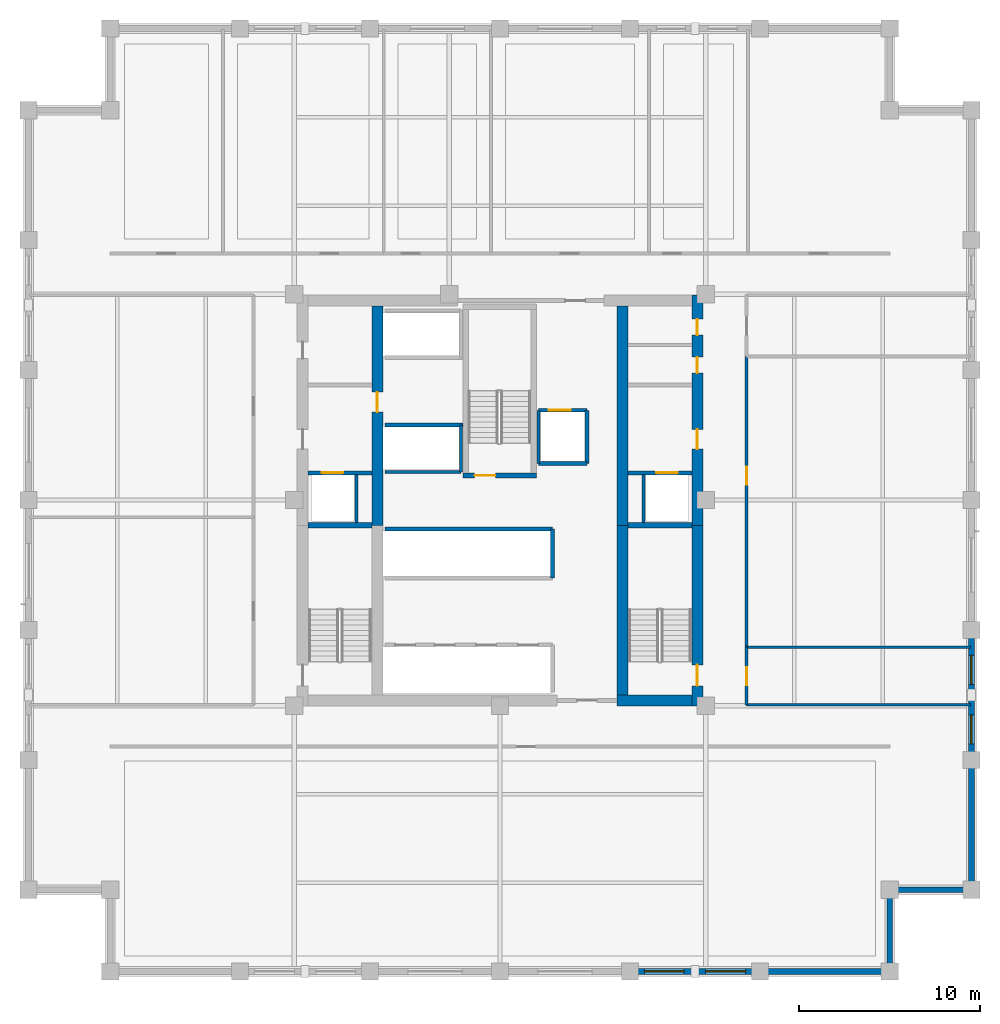
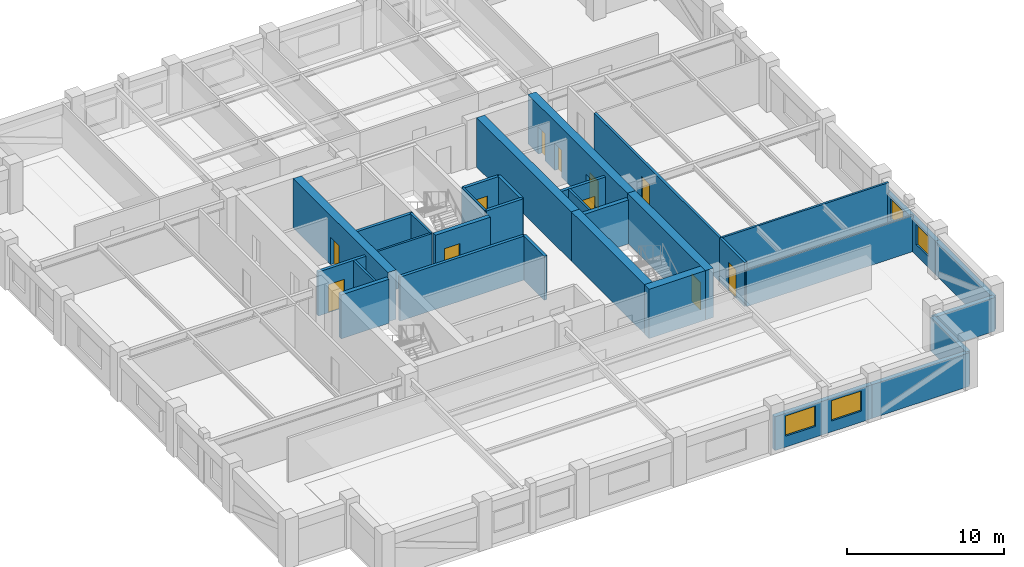
# One storey, part 6 of 12: 32 walls, 11 doors, 4 windows, 15 openings.
"""IFC4 building model written with IfcOpenShell, lengths in metres."""

from ifc_helpers import new_model, si_unit, direction, frame, frame_2d, origin, place, context, subcontext, project, spatial, rectangle, extrude, material, layer, layer_set, type_object, element, fill, save


model = new_model("IFC4")

# Units and contexts
model_context = context("Model", 3, precision=1e-05, world=origin(), true_north=direction((0.0, 1.0)))
body_context = subcontext(model_context, "Body", "Model", "MODEL_VIEW")
ifc_project = project(units=[si_unit("LENGTHUNIT", "METRE"), si_unit("AREAUNIT", "SQUARE_METRE"), si_unit("VOLUMEUNIT", "CUBIC_METRE"), si_unit("PLANEANGLEUNIT", "RADIAN"), si_unit("MASSUNIT", "GRAM", prefix="KILO")], contexts=[model_context])

# Site, building, storey
site_placement = place(None, origin())
site = spatial("IfcSite", under=ifc_project, at=site_placement, CompositionType="ELEMENT")
building_placement = place(site_placement, origin())
building = spatial("IfcBuilding", under=site, at=building_placement, Name="Nhamokura Convention Tower", CompositionType="ELEMENT")
storey_placement = place(building_placement, frame((0.0, 0.0, 110.60009765625)))
storey = spatial("IfcBuildingStorey", under=building, at=storey_placement, Name="L26", CompositionType="ELEMENT", Elevation=110.60009765625)

# Wall, openings, windows
ifc_material_1 = material(Name="Bronze-pigmented precast concrete C45/55", Category="concrete")
ifc_layer_1 = layer(ifc_material_1, 0.320068359375)
ifc_layer_set_1 = layer_set([ifc_layer_1], Name="BronzePrecastSpandrel_320")
wall_type_1 = type_object("IfcWallType", Name="BronzePrecastSpandrel_320", PredefinedType="USERDEFINED", material=ifc_layer_set_1)
wall_1_placement = place(storey_placement, frame((46.333251953125, 6.0, 0.0), z_axis=(0.0, 0.0, 1.0), x_axis=(-1.0, 0.0, 0.0)))
wall_1 = element("IfcWall", 1, at=wall_1_placement, inside=storey, type_object=wall_type_1, Name="L26 Masonry-Frame Wall SOUTH 4", ObjectType="SPANDREL_WALL", PredefinedType="USERDEFINED", context=body_context, shape_type="SweptSolid", body=[
    extrude(rectangle(XDim=7.16650390625, YDim=0.320068359375, at=frame_2d((3.583251953125, 0.0))), origin(), (0.0, 0.0, 1.0), 2.6298828125),
])
opening_1_placement = place(wall_1_placement, frame((0.791748046875, 0.0, 0.85009765625)))
opening_1 = element("IfcOpeningElement", 2, at=opening_1_placement, cuts=wall_1, Name="Opening W-06", PredefinedType="OPENING", context=body_context, shape_type="SweptSolid", body=[
    extrude(rectangle(XDim=2.199951171875, YDim=1.580078125, at=frame_2d((1.10009765625, 0.7900390625))), frame((0.0, 0.169921875, 0.0), z_axis=(0.0, -1.0, 0.0), x_axis=(1.0, 0.0, 0.0)), (0.0, 0.0, 1.0), 0.340087890625),
])
opening_2_placement = place(wall_1_placement, frame((4.175048828125, 0.0, 0.85009765625)))
opening_2 = element("IfcOpeningElement", 3, at=opening_2_placement, cuts=wall_1, Name="Opening W-06", PredefinedType="OPENING", context=body_context, shape_type="SweptSolid", body=[
    extrude(rectangle(XDim=2.199951171875, YDim=1.580078125, at=frame_2d((1.10009765625, 0.7900390625))), frame((0.0, 0.169921875, 0.0), z_axis=(0.0, -1.0, 0.0), x_axis=(1.0, 0.0, 0.0)), (0.0, 0.0, 1.0), 0.340087890625),
])
ifc_material_2 = material(Name="Solar-control bronze low-E double glass", Category="glass")
window_type_1 = type_object("IfcWindowType", Name="OfficeModuleWindow_Z2_2200", PartitioningType="SINGLE_PANEL", PredefinedType="WINDOW", material=ifc_material_2)
window_1_placement = place(opening_1_placement, origin())
window_1 = element("IfcWindow", 4, at=window_1_placement, inside=storey, type_object=window_type_1, Name="L26 Facade Window SOUTH 4-1", OverallHeight=1.580078125, OverallWidth=2.199951171875, PartitioningType="SINGLE_PANEL", PredefinedType="WINDOW", context=body_context, shape_type="SweptSolid", body=[
    extrude(rectangle(XDim=2.199951171875, YDim=1.580078125, at=frame_2d((1.10009765625, 0.7900390625))), frame((0.0, 0.030029296875, 0.0), z_axis=(0.0, -1.0, 0.0), x_axis=(1.0, 0.0, 0.0)), (0.0, 0.0, 1.0), 0.06005859375),
])
fill(opening_1, window_1)
window_2_placement = place(opening_2_placement, origin())
window_2 = element("IfcWindow", 5, at=window_2_placement, inside=storey, type_object=window_type_1, Name="L26 Facade Window SOUTH 4-2", OverallHeight=1.580078125, OverallWidth=2.199951171875, PartitioningType="SINGLE_PANEL", PredefinedType="WINDOW", context=body_context, shape_type="SweptSolid", body=[
    extrude(rectangle(XDim=2.199951171875, YDim=1.580078125, at=frame_2d((1.10009765625, 0.7900390625))), frame((0.0, 0.030029296875, 0.0), z_axis=(0.0, -1.0, 0.0), x_axis=(1.0, 0.0, 0.0)), (0.0, 0.0, 1.0), 0.06005859375),
])
fill(opening_2, window_2)

# Walls
for number, where, z_axis, x_axis, name in (
    (6, (53.5, 6.0, 0.0), (0.0, 0.0, 1.0), (-1.0, 0.0, 0.0), "L26 Braced-Bay Precast Wall SOUTH 5"),
    (7, (58.0, 17.666748046875, 0.0), (0.0, 0.0, 1.0), (0.0, -1.0, 0.0), "L26 Braced-Bay Precast Wall EAST 0"),
):
    element("IfcWall", number, at=place(storey_placement, frame(where, z_axis=z_axis, x_axis=x_axis)), inside=storey, type_object=wall_type_1, Name=name, ObjectType="SPANDREL_WALL", PredefinedType="USERDEFINED", context=body_context, shape_type="SweptSolid", body=[
        extrude(rectangle(XDim=7.166748046875, YDim=0.320068359375, at=frame_2d((3.58349609375, 0.0))), origin(), (0.0, 0.0, 1.0), 2.6298828125),
    ])

# Wall, openings, windows
wall_2_placement = place(storey_placement, frame((58.0, 24.833251953125, 0.0), z_axis=(0.0, 0.0, 1.0), x_axis=(0.0, -1.0, 0.0)))
wall_2 = element("IfcWall", 8, at=wall_2_placement, inside=storey, type_object=wall_type_1, Name="L26 Masonry-Frame Wall EAST 1", ObjectType="SPANDREL_WALL", PredefinedType="USERDEFINED", context=body_context, shape_type="SweptSolid", body=[
    extrude(rectangle(XDim=7.16650390625, YDim=0.320068359375, at=frame_2d((3.583251953125, 0.0))), origin(), (0.0, 0.0, 1.0), 2.6298828125),
])
opening_3_placement = place(wall_2_placement, frame((1.404296875, 0.0, 0.85009765625)))
opening_3 = element("IfcOpeningElement", 9, at=opening_3_placement, cuts=wall_2, Name="Opening W-11", PredefinedType="OPENING", context=body_context, shape_type="SweptSolid", body=[
    extrude(rectangle(XDim=1.60009765625, YDim=1.580078125, at=frame_2d((0.800048828125, 0.7900390625))), frame((0.0, 0.169921875, 0.0), z_axis=(0.0, -1.0, 0.0), x_axis=(1.0, 0.0, 0.0)), (0.0, 0.0, 1.0), 0.340087890625),
])
opening_4_placement = place(wall_2_placement, frame((4.6875, 0.0, 0.85009765625)))
opening_4 = element("IfcOpeningElement", 10, at=opening_4_placement, cuts=wall_2, Name="Opening W-11", PredefinedType="OPENING", context=body_context, shape_type="SweptSolid", body=[
    extrude(rectangle(XDim=1.60009765625, YDim=1.580078125, at=frame_2d((0.800048828125, 0.7900390625))), frame((0.0, 0.169921875, 0.0), z_axis=(0.0, -1.0, 0.0), x_axis=(1.0, 0.0, 0.0)), (0.0, 0.0, 1.0), 0.340087890625),
])
ifc_material_3 = material(Name="Solar-control bronze low-E double glass", Category="glass")
window_type_2 = type_object("IfcWindowType", Name="NotchCornerWindow_1600", PartitioningType="SINGLE_PANEL", PredefinedType="WINDOW", material=ifc_material_3)
window_3_placement = place(opening_3_placement, origin())
window_3 = element("IfcWindow", 11, at=window_3_placement, inside=storey, type_object=window_type_2, Name="L26 Facade Window EAST 1-1", OverallHeight=1.580078125, OverallWidth=1.60009765625, PartitioningType="SINGLE_PANEL", PredefinedType="WINDOW", context=body_context, shape_type="SweptSolid", body=[
    extrude(rectangle(XDim=1.60009765625, YDim=1.580078125, at=frame_2d((0.800048828125, 0.7900390625))), frame((0.0, 0.030029296875, 0.0), z_axis=(0.0, -1.0, 0.0), x_axis=(1.0, 0.0, 0.0)), (0.0, 0.0, 1.0), 0.06005859375),
])
fill(opening_3, window_3)
window_4_placement = place(opening_4_placement, origin())
window_4 = element("IfcWindow", 12, at=window_4_placement, inside=storey, type_object=window_type_2, Name="L26 Facade Window EAST 1-2", OverallHeight=1.580078125, OverallWidth=1.60009765625, PartitioningType="SINGLE_PANEL", PredefinedType="WINDOW", context=body_context, shape_type="SweptSolid", body=[
    extrude(rectangle(XDim=1.60009765625, YDim=1.580078125, at=frame_2d((0.800048828125, 0.7900390625))), frame((0.0, 0.030029296875, 0.0), z_axis=(0.0, -1.0, 0.0), x_axis=(1.0, 0.0, 0.0)), (0.0, 0.0, 1.0), 0.06005859375),
])
fill(opening_4, window_4)

# Walls
for number, where, z_axis, x_axis, name in (
    (13, (53.5, 10.5, 0.0), (0.0, 0.0, 1.0), (0.0, -1.0, 0.0), "L26 Notched Corner Wall SE1"),
    (14, (58.0, 10.5, 0.0), (0.0, 0.0, 1.0), (-1.0, 0.0, 0.0), "L26 Notched Corner Wall SE2"),
):
    element("IfcWall", number, at=place(storey_placement, frame(where, z_axis=z_axis, x_axis=x_axis)), inside=storey, type_object=wall_type_1, Name=name, ObjectType="SPANDREL_WALL", PredefinedType="USERDEFINED", context=body_context, shape_type="SweptSolid", body=[
        extrude(rectangle(XDim=4.5, YDim=0.320068359375, at=frame_2d((2.25, 0.0))), origin(), (0.0, 0.0, 1.0), 2.6298828125),
    ])

# Wall, opening, door
ifc_material_4 = material(Name="Concrete C60/75", Category="concrete")
ifc_layer_2 = layer(ifc_material_4, 0.60009765625)
ifc_layer_set_2 = layer_set([ifc_layer_2], Name="CoreShearWall_600")
wall_type_2 = type_object("IfcWallType", Name="CoreShearWall_600", PredefinedType="SHEAR", material=ifc_layer_set_2)
wall_3_placement = place(storey_placement, frame((42.889892578125, 20.64990234375, 0.0), z_axis=(0.0, 0.0, 1.0), x_axis=(0.0, 1.0, 0.0)))
wall_3 = element("IfcWall", 15, at=wall_3_placement, inside=storey, type_object=wall_type_2, Name="L26 Core Shear Wall CW-ES", PredefinedType="SHEAR", context=body_context, shape_type="SweptSolid", body=[
    extrude(rectangle(XDim=9.9501953125, YDim=0.60009765625, at=frame_2d((4.97509765625, 0.0))), origin(), (0.0, 0.0, 1.0), 3.849853515625),
])
opening_5_placement = place(wall_3_placement, frame((1.10009765625, 0.0, 0.0)))
opening_5 = element("IfcOpeningElement", 16, at=opening_5_placement, cuts=wall_3, Name="Opening D-04", PredefinedType="OPENING", context=body_context, shape_type="SweptSolid", body=[
    extrude(rectangle(XDim=1.14990234375, YDim=2.14990234375, at=frame_2d((0.574951171875, 1.074951171875))), frame((0.0, 0.31005859375, 0.0), z_axis=(0.0, -1.0, 0.0), x_axis=(1.0, 0.0, 0.0)), (0.0, 0.0, 1.0), 0.6201171875),
])
ifc_material_5 = material(Name="Fire-rated steel door", Category="steel")
door_type_1 = type_object("IfcDoorType", Name="StairSmokeDoor_1150", OperationType="NOTDEFINED", PredefinedType="DOOR", material=ifc_material_5)
door_1_placement = place(opening_5_placement, origin())
door_1 = element("IfcDoor", 17, at=door_1_placement, inside=storey, type_object=door_type_1, Name="L26 Core Door INT-L26-D-ST02", OperationType="SINGLE_SWING_RIGHT", OverallHeight=2.14990234375, OverallWidth=1.14990234375, PredefinedType="DOOR", context=body_context, shape_type="SweptSolid", body=[
    extrude(rectangle(XDim=1.14990234375, YDim=2.14990234375, at=frame_2d((0.574951171875, 1.074951171875))), frame((0.0, 0.02490234375, 0.0), z_axis=(0.0, -1.0, 0.0), x_axis=(1.0, 0.0, 0.0)), (0.0, 0.0, 1.0), 0.050048828125),
])
fill(opening_5, door_1)

# Wall, openings, doors
wall_4_placement = place(storey_placement, frame((42.889892578125, 30.60009765625, 0.0), z_axis=(0.0, 0.0, 1.0), x_axis=(0.0, 1.0, 0.0)))
wall_4 = element("IfcWall", 18, at=wall_4_placement, inside=storey, type_object=wall_type_2, Name="L26 Core Shear Wall CW-EN", PredefinedType="SHEAR", context=body_context, shape_type="SweptSolid", body=[
    extrude(rectangle(XDim=12.699951171875, YDim=0.60009765625, at=frame_2d((6.35009765625, 0.0))), origin(), (0.0, 0.0, 1.0), 3.849853515625),
])
opening_6_placement = place(wall_4_placement, frame((4.199951171875, 0.0, 0.0)))
opening_6 = element("IfcOpeningElement", 19, at=opening_6_placement, cuts=wall_4, Name="Opening D-05", PredefinedType="OPENING", context=body_context, shape_type="SweptSolid", body=[
    extrude(rectangle(XDim=1.10009765625, YDim=2.14990234375, at=frame_2d((0.550048828125, 1.074951171875))), frame((0.0, 0.31005859375, 0.0), z_axis=(0.0, -1.0, 0.0), x_axis=(1.0, 0.0, 0.0)), (0.0, 0.0, 1.0), 0.6201171875),
])
opening_7_placement = place(wall_4_placement, frame((8.39990234375, 0.0, 0.0)))
opening_7 = element("IfcOpeningElement", 20, at=opening_7_placement, cuts=wall_4, Name="Opening D-11", PredefinedType="OPENING", context=body_context, shape_type="SweptSolid", body=[
    extrude(rectangle(XDim=0.8798828125, YDim=2.10009765625, at=frame_2d((0.43994140625, 1.050048828125))), frame((0.0, 0.31005859375, 0.0), z_axis=(0.0, -1.0, 0.0), x_axis=(1.0, 0.0, 0.0)), (0.0, 0.0, 1.0), 0.6201171875),
])
opening_8_placement = place(wall_4_placement, frame((10.5, 0.0, 0.0)))
opening_8 = element("IfcOpeningElement", 21, at=opening_8_placement, cuts=wall_4, Name="Opening D-11", PredefinedType="OPENING", context=body_context, shape_type="SweptSolid", body=[
    extrude(rectangle(XDim=0.8798828125, YDim=2.10009765625, at=frame_2d((0.43994140625, 1.050048828125))), frame((0.0, 0.31005859375, 0.0), z_axis=(0.0, -1.0, 0.0), x_axis=(1.0, 0.0, 0.0)), (0.0, 0.0, 1.0), 0.6201171875),
])
ifc_material_6 = material(Name="Solid oak hardwood", Category="wood")
door_type_2 = type_object("IfcDoorType", Name="BathroomDoor_880", OperationType="NOTDEFINED", PredefinedType="DOOR", material=ifc_material_6)
door_2_placement = place(opening_7_placement, origin())
door_2 = element("IfcDoor", 22, at=door_2_placement, inside=storey, type_object=door_type_2, Name="L26 Core Door INT-L26-D-MWC", OperationType="SINGLE_SWING_RIGHT", OverallHeight=2.10009765625, OverallWidth=0.8798828125, PredefinedType="DOOR", context=body_context, shape_type="SweptSolid", body=[
    extrude(rectangle(XDim=0.8798828125, YDim=2.10009765625, at=frame_2d((0.43994140625, 1.050048828125))), frame((0.0, 0.02490234375, 0.0), z_axis=(0.0, -1.0, 0.0), x_axis=(1.0, 0.0, 0.0)), (0.0, 0.0, 1.0), 0.050048828125),
])
fill(opening_7, door_2)
door_3_placement = place(opening_8_placement, origin())
door_3 = element("IfcDoor", 23, at=door_3_placement, inside=storey, type_object=door_type_2, Name="L26 Core Door INT-L26-D-FWC", OperationType="SINGLE_SWING_LEFT", OverallHeight=2.10009765625, OverallWidth=0.8798828125, PredefinedType="DOOR", context=body_context, shape_type="SweptSolid", body=[
    extrude(rectangle(XDim=0.8798828125, YDim=2.10009765625, at=frame_2d((0.43994140625, 1.050048828125))), frame((0.0, 0.02490234375, 0.0), z_axis=(0.0, -1.0, 0.0), x_axis=(1.0, 0.0, 0.0)), (0.0, 0.0, 1.0), 0.050048828125),
])
fill(opening_8, door_3)
ifc_material_7 = material(Name="Fire-rated steel door", Category="steel")
door_type_3 = type_object("IfcDoorType", Name="FireLobbyDoor_1100", OperationType="NOTDEFINED", PredefinedType="DOOR", material=ifc_material_7)
door_4_placement = place(opening_6_placement, origin())
door_4 = element("IfcDoor", 24, at=door_4_placement, inside=storey, type_object=door_type_3, Name="L26 Core Door INT-L26-D-FFLE", OperationType="SINGLE_SWING_LEFT", OverallHeight=2.14990234375, OverallWidth=1.10009765625, PredefinedType="DOOR", context=body_context, shape_type="SweptSolid", body=[
    extrude(rectangle(XDim=1.10009765625, YDim=2.14990234375, at=frame_2d((0.550048828125, 1.074951171875))), frame((0.0, 0.02490234375, 0.0), z_axis=(0.0, -1.0, 0.0), x_axis=(1.0, 0.0, 0.0)), (0.0, 0.0, 1.0), 0.050048828125),
])
fill(opening_6, door_4)

# Wall
wall_5_placement = place(storey_placement, frame((38.449951171875, 20.949951171875, 0.0), z_axis=(0.0, 0.0, 1.0), x_axis=(1.0, 0.0, 0.0)))
element("IfcWall", 25, at=wall_5_placement, inside=storey, type_object=wall_type_2, Name="L26 Core Shear Wall CW-S2", PredefinedType="SHEAR", context=body_context, shape_type="SweptSolid", body=[
    extrude(rectangle(XDim=4.14013671875, YDim=0.60009765625, at=frame_2d((2.070068359375, 0.0))), origin(), (0.0, 0.0, 1.0), 3.849853515625),
])

# Wall, opening, door
wall_6_placement = place(storey_placement, frame((25.239990234375, 30.60009765625, 0.0), z_axis=(0.0, 0.0, 1.0), x_axis=(0.0, 1.0, 0.0)))
wall_6 = element("IfcWall", 26, at=wall_6_placement, inside=storey, type_object=wall_type_2, Name="L26 Core Shear Wall CW-IWN", PredefinedType="SHEAR", context=body_context, shape_type="SweptSolid", body=[
    extrude(rectangle(XDim=12.099853515625, YDim=0.60009765625, at=frame_2d((6.0498046875, 0.0))), origin(), (0.0, 0.0, 1.0), 3.849853515625),
])
opening_9_placement = place(wall_6_placement, frame((6.25, 0.0, 0.0)))
opening_9 = element("IfcOpeningElement", 27, at=opening_9_placement, cuts=wall_6, Name="Opening D-05", PredefinedType="OPENING", context=body_context, shape_type="SweptSolid", body=[
    extrude(rectangle(XDim=1.10009765625, YDim=2.14990234375, at=frame_2d((0.550048828125, 1.074951171875))), frame((0.0, 0.31005859375, 0.0), z_axis=(0.0, -1.0, 0.0), x_axis=(1.0, 0.0, 0.0)), (0.0, 0.0, 1.0), 0.6201171875),
])
door_5_placement = place(opening_9_placement, origin())
door_5 = element("IfcDoor", 28, at=door_5_placement, inside=storey, type_object=door_type_3, Name="L26 Core Door INT-L26-D-B3LOB", OperationType="SINGLE_SWING_LEFT", OverallHeight=2.14990234375, OverallWidth=1.10009765625, PredefinedType="DOOR", context=body_context, shape_type="SweptSolid", body=[
    extrude(rectangle(XDim=1.10009765625, YDim=2.14990234375, at=frame_2d((0.550048828125, 1.074951171875))), frame((0.0, 0.02490234375, 0.0), z_axis=(0.0, -1.0, 0.0), x_axis=(1.0, 0.0, 0.0)), (0.0, 0.0, 1.0), 0.050048828125),
])
fill(opening_9, door_5)

# Walls
wall_7_placement = place(storey_placement, frame((38.760009765625, 21.25, 0.0), z_axis=(0.0, 0.0, 1.0), x_axis=(0.0, 1.0, 0.0)))
element("IfcWall", 29, at=wall_7_placement, inside=storey, type_object=wall_type_2, Name="L26 Core Shear Wall CW-IES", PredefinedType="SHEAR", context=body_context, shape_type="SweptSolid", body=[
    extrude(rectangle(XDim=9.35009765625, YDim=0.60009765625, at=frame_2d((4.675048828125, 0.0))), origin(), (0.0, 0.0, 1.0), 3.849853515625),
])
wall_8_placement = place(storey_placement, frame((38.760009765625, 30.60009765625, 0.0), z_axis=(0.0, 0.0, 1.0), x_axis=(0.0, 1.0, 0.0)))
element("IfcWall", 30, at=wall_8_placement, inside=storey, type_object=wall_type_2, Name="L26 Core Shear Wall CW-IEN", PredefinedType="SHEAR", context=body_context, shape_type="SweptSolid", body=[
    extrude(rectangle(XDim=12.099853515625, YDim=0.60009765625, at=frame_2d((6.0498046875, 0.0))), origin(), (0.0, 0.0, 1.0), 3.849853515625),
])

# Wall, opening, door
ifc_material_8 = material(Name="Fire-rated gypsum and masonry partition", Category="masonry")
ifc_layer_3 = layer(ifc_material_8, 0.179931640625)
ifc_layer_set_3 = layer_set([ifc_layer_3], Name="CorridorRatedWall_180")
wall_type_3 = type_object("IfcWallType", Name="CorridorRatedWall_180", PredefinedType="STANDARD", material=ifc_layer_set_3)
wall_9_placement = place(storey_placement, frame((45.60009765625, 20.699951171875, 0.0), z_axis=(0.0, 0.0, 1.0), x_axis=(0.0, 1.0, 0.0)))
wall_9 = element("IfcWall", 31, at=wall_9_placement, inside=storey, type_object=wall_type_3, Name="L26 Wall INT-L26-CW-E00", PredefinedType="STANDARD", context=body_context, shape_type="SweptSolid", body=[
    extrude(rectangle(XDim=3.183349609375, YDim=0.179931640625, at=frame_2d((1.591796875, 0.0))), origin(), (0.0, 0.0, 1.0), 3.429931640625),
])
opening_10_placement = place(wall_9_placement, frame((1.091552734375, 0.0, 0.0)))
opening_10 = element("IfcOpeningElement", 32, at=opening_10_placement, cuts=wall_9, Name="Opening D-08", PredefinedType="OPENING", context=body_context, shape_type="SweptSolid", body=[
    extrude(rectangle(XDim=0.97998046875, YDim=2.199951171875, at=frame_2d((0.489990234375, 1.10009765625))), frame((0.0, 0.099853515625, 0.0), z_axis=(0.0, -1.0, 0.0), x_axis=(1.0, 0.0, 0.0)), (0.0, 0.0, 1.0), 0.199951171875),
])
ifc_material_9 = material(Name="Solid oak hardwood", Category="wood")
door_type_4 = type_object("IfcDoorType", Name="OfficeEntryDoor_980", OperationType="NOTDEFINED", PredefinedType="DOOR", material=ifc_material_9)
door_6_placement = place(opening_10_placement, origin())
door_6 = element("IfcDoor", 33, at=door_6_placement, inside=storey, type_object=door_type_4, Name="L26 Archive Store E01 Door", OperationType="SINGLE_SWING_LEFT", OverallHeight=2.199951171875, OverallWidth=0.97998046875, PredefinedType="DOOR", context=body_context, shape_type="SweptSolid", body=[
    extrude(rectangle(XDim=0.97998046875, YDim=2.199951171875, at=frame_2d((0.489990234375, 1.10009765625))), frame((0.0, 0.02490234375, 0.0), z_axis=(0.0, -1.0, 0.0), x_axis=(1.0, 0.0, 0.0)), (0.0, 0.0, 1.0), 0.050048828125),
])
fill(opening_10, door_6)

wall_10_placement = place(storey_placement, frame((45.60009765625, 23.88330078125, 0.0), z_axis=(0.0, 0.0, 1.0), x_axis=(0.0, 1.0, 0.0)))
wall_10 = element("IfcWall", 34, at=wall_10_placement, inside=storey, type_object=wall_type_3, Name="L26 Wall INT-L26-CW-E01", PredefinedType="STANDARD", context=body_context, shape_type="SweptSolid", body=[
    extrude(rectangle(XDim=16.033447265625, YDim=0.179931640625, at=frame_2d((8.0166015625, 0.0))), origin(), (0.0, 0.0, 1.0), 3.429931640625),
])
opening_11_placement = place(wall_10_placement, frame((8.966796875, 0.0, 0.0)))
opening_11 = element("IfcOpeningElement", 35, at=opening_11_placement, cuts=wall_10, Name="Opening D-08", PredefinedType="OPENING", context=body_context, shape_type="SweptSolid", body=[
    extrude(rectangle(XDim=0.97998046875, YDim=2.199951171875, at=frame_2d((0.489990234375, 1.10009765625))), frame((0.0, 0.099853515625, 0.0), z_axis=(0.0, -1.0, 0.0), x_axis=(1.0, 0.0, 0.0)), (0.0, 0.0, 1.0), 0.199951171875),
])
door_7_placement = place(opening_11_placement, origin())
door_7 = element("IfcDoor", 36, at=door_7_placement, inside=storey, type_object=door_type_4, Name="L26 Private Office E02 Door", OperationType="SINGLE_SWING_RIGHT", OverallHeight=2.199951171875, OverallWidth=0.97998046875, PredefinedType="DOOR", context=body_context, shape_type="SweptSolid", body=[
    extrude(rectangle(XDim=0.97998046875, YDim=2.199951171875, at=frame_2d((0.489990234375, 1.10009765625))), frame((0.0, 0.02490234375, 0.0), z_axis=(0.0, -1.0, 0.0), x_axis=(1.0, 0.0, 0.0)), (0.0, 0.0, 1.0), 0.050048828125),
])
fill(opening_11, door_7)

ifc_material_10 = material(Name="Autoclaved concrete blockwork", Category="masonry")
ifc_layer_4 = layer(ifc_material_10, 0.219970703125)
ifc_layer_set_4 = layer_set([ifc_layer_4], Name="FireLobbyWall_220")
wall_type_4 = type_object("IfcWallType", Name="FireLobbyWall_220", PredefinedType="STANDARD", material=ifc_layer_set_4)
wall_11_placement = place(storey_placement, frame((21.409912109375, 33.5, 0.0), z_axis=(0.0, 0.0, 1.0), x_axis=(1.0, 0.0, 0.0)))
wall_11 = element("IfcWall", 37, at=wall_11_placement, inside=storey, type_object=wall_type_4, Name="L26 Wall INT-L26-FFW-S", PredefinedType="STANDARD", context=body_context, shape_type="SweptSolid", body=[
    extrude(rectangle(XDim=3.530029296875, YDim=0.219970703125, at=frame_2d((1.76513671875, 0.0))), origin(), (0.0, 0.0, 1.0), 3.429931640625),
])
opening_12_placement = place(wall_11_placement, frame((0.75, 0.0, 0.0)))
opening_12 = element("IfcOpeningElement", 38, at=opening_12_placement, cuts=wall_11, Name="Opening LD-02", PredefinedType="OPENING", context=body_context, shape_type="SweptSolid", body=[
    extrude(rectangle(XDim=1.199951171875, YDim=2.199951171875, at=frame_2d((0.60009765625, 1.10009765625))), frame((0.0, 0.119873046875, 0.0), z_axis=(0.0, -1.0, 0.0), x_axis=(1.0, 0.0, 0.0)), (0.0, 0.0, 1.0), 0.239990234375),
])
ifc_material_11 = material(Name="Anodised bronze stainless steel", Category="steel")
door_type_5 = type_object("IfcDoorType", Name="LiftLandingDoor_FireService", OperationType="DOUBLE_DOOR_SLIDING", PredefinedType="DOOR", material=ifc_material_11)
door_8_placement = place(opening_12_placement, origin())
door_8 = element("IfcDoor", 39, at=door_8_placement, inside=storey, type_object=door_type_5, Name="L26 Firefighting Lift LF-01 Door", OperationType="DOUBLE_DOOR_SLIDING", OverallHeight=2.199951171875, OverallWidth=1.199951171875, PredefinedType="DOOR", context=body_context, shape_type="SweptSolid", body=[
    extrude(rectangle(XDim=1.199951171875, YDim=2.199951171875, at=frame_2d((0.60009765625, 1.10009765625))), frame((0.0, 0.02490234375, 0.0), z_axis=(0.0, -1.0, 0.0), x_axis=(1.0, 0.0, 0.0)), (0.0, 0.0, 1.0), 0.050048828125),
])
fill(opening_12, door_8)

wall_12_placement = place(storey_placement, frame((39.06005859375, 33.5, 0.0), z_axis=(0.0, 0.0, 1.0), x_axis=(1.0, 0.0, 0.0)))
wall_12 = element("IfcWall", 40, at=wall_12_placement, inside=storey, type_object=wall_type_4, Name="L26 Wall INT-L26-FFE-S", PredefinedType="STANDARD", context=body_context, shape_type="SweptSolid", body=[
    extrude(rectangle(XDim=3.530029296875, YDim=0.219970703125, at=frame_2d((1.76513671875, 0.0))), origin(), (0.0, 0.0, 1.0), 3.429931640625),
])
opening_13_placement = place(wall_12_placement, frame((1.550048828125, 0.0, 0.0)))
opening_13 = element("IfcOpeningElement", 41, at=opening_13_placement, cuts=wall_12, Name="Opening LD-02", PredefinedType="OPENING", context=body_context, shape_type="SweptSolid", body=[
    extrude(rectangle(XDim=1.199951171875, YDim=2.199951171875, at=frame_2d((0.60009765625, 1.10009765625))), frame((0.0, 0.119873046875, 0.0), z_axis=(0.0, -1.0, 0.0), x_axis=(1.0, 0.0, 0.0)), (0.0, 0.0, 1.0), 0.239990234375),
])
door_9_placement = place(opening_13_placement, origin())
door_9 = element("IfcDoor", 42, at=door_9_placement, inside=storey, type_object=door_type_5, Name="L26 Firefighting Lift LF-02 Door", OperationType="DOUBLE_DOOR_SLIDING", OverallHeight=2.199951171875, OverallWidth=1.199951171875, PredefinedType="DOOR", context=body_context, shape_type="SweptSolid", body=[
    extrude(rectangle(XDim=1.199951171875, YDim=2.199951171875, at=frame_2d((0.60009765625, 1.10009765625))), frame((0.0, 0.02490234375, 0.0), z_axis=(0.0, -1.0, 0.0), x_axis=(1.0, 0.0, 0.0)), (0.0, 0.0, 1.0), 0.050048828125),
])
fill(opening_13, door_9)

# Walls
wall_13_placement = place(storey_placement, frame((25.64990234375, 30.39990234375, 0.0), z_axis=(0.0, 0.0, 1.0), x_axis=(1.0, 0.0, 0.0)))
element("IfcWall", 43, at=wall_13_placement, inside=storey, type_object=wall_type_4, Name="L26 Wall INT-L26-B2N", PredefinedType="STANDARD", context=body_context, shape_type="SweptSolid", body=[
    extrude(rectangle(XDim=9.25, YDim=0.219970703125, at=frame_2d((4.625, 0.0))), origin(), (0.0, 0.0, 1.0), 3.429931640625),
])
wall_14_placement = place(storey_placement, frame((34.89990234375, 27.699951171875, 0.0), z_axis=(0.0, 0.0, 1.0), x_axis=(0.0, 1.0, 0.0)))
element("IfcWall", 44, at=wall_14_placement, inside=storey, type_object=wall_type_4, Name="L26 Wall INT-L26-B2E", PredefinedType="STANDARD", context=body_context, shape_type="SweptSolid", body=[
    extrude(rectangle(XDim=2.699951171875, YDim=0.219970703125, at=frame_2d((1.35009765625, 0.0))), origin(), (0.0, 0.0, 1.0), 3.429931640625),
])
wall_15_placement = place(storey_placement, frame((25.64990234375, 36.14990234375, 0.0), z_axis=(0.0, 0.0, 1.0), x_axis=(1.0, 0.0, 0.0)))
element("IfcWall", 45, at=wall_15_placement, inside=storey, type_object=wall_type_4, Name="L26 Wall INT-L26-B3S", PredefinedType="STANDARD", context=body_context, shape_type="SweptSolid", body=[
    extrude(rectangle(XDim=4.300048828125, YDim=0.219970703125, at=frame_2d((2.14990234375, 0.0))), origin(), (0.0, 0.0, 1.0), 3.429931640625),
])

# Wall, opening, door
wall_16_placement = place(storey_placement, frame((34.1201171875, 36.949951171875, 0.0), z_axis=(0.0, 0.0, 1.0), x_axis=(1.0, 0.0, 0.0)))
wall_16 = element("IfcWall", 46, at=wall_16_placement, inside=storey, type_object=wall_type_4, Name="L26 Wall INT-L26-LSN", PredefinedType="STANDARD", context=body_context, shape_type="SweptSolid", body=[
    extrude(rectangle(XDim=2.679931640625, YDim=0.219970703125, at=frame_2d((1.33984375, 0.0))), origin(), (0.0, 0.0, 1.0), 3.429931640625),
])
opening_14_placement = place(wall_16_placement, frame((0.580078125, 0.0, 0.0)))
opening_14 = element("IfcOpeningElement", 47, at=opening_14_placement, cuts=wall_16, Name="Opening LD-02", PredefinedType="OPENING", context=body_context, shape_type="SweptSolid", body=[
    extrude(rectangle(XDim=1.199951171875, YDim=2.199951171875, at=frame_2d((0.60009765625, 1.10009765625))), frame((0.0, 0.119873046875, 0.0), z_axis=(0.0, -1.0, 0.0), x_axis=(1.0, 0.0, 0.0)), (0.0, 0.0, 1.0), 0.239990234375),
])
door_10_placement = place(opening_14_placement, origin())
door_10 = element("IfcDoor", 48, at=door_10_placement, inside=storey, type_object=door_type_5, Name="L26 Service Lift LS-01 Door", OperationType="DOUBLE_DOOR_SLIDING", OverallHeight=2.199951171875, OverallWidth=1.199951171875, PredefinedType="DOOR", context=body_context, shape_type="SweptSolid", body=[
    extrude(rectangle(XDim=1.199951171875, YDim=2.199951171875, at=frame_2d((0.60009765625, 1.10009765625))), frame((0.0, 0.02490234375, 0.0), z_axis=(0.0, -1.0, 0.0), x_axis=(1.0, 0.0, 0.0)), (0.0, 0.0, 1.0), 0.050048828125),
])
fill(opening_14, door_10)

# Walls
wall_17_placement = place(storey_placement, frame((36.800048828125, 34.02001953125, 0.0), z_axis=(0.0, 0.0, 1.0), x_axis=(0.0, 1.0, 0.0)))
element("IfcWall", 49, at=wall_17_placement, inside=storey, type_object=wall_type_4, Name="L26 Wall INT-L26-LSE", PredefinedType="STANDARD", context=body_context, shape_type="SweptSolid", body=[
    extrude(rectangle(XDim=2.929931640625, YDim=0.219970703125, at=frame_2d((1.46484375, 0.0))), origin(), (0.0, 0.0, 1.0), 3.429931640625),
])
wall_18_placement = place(storey_placement, frame((34.1201171875, 34.02001953125, 0.0), z_axis=(0.0, 0.0, 1.0), x_axis=(1.0, 0.0, 0.0)))
element("IfcWall", 50, at=wall_18_placement, inside=storey, type_object=wall_type_4, Name="L26 Wall INT-L26-LSS", PredefinedType="STANDARD", context=body_context, shape_type="SweptSolid", body=[
    extrude(rectangle(XDim=2.679931640625, YDim=0.219970703125, at=frame_2d((1.33984375, 0.0))), origin(), (0.0, 0.0, 1.0), 3.429931640625),
])
ifc_material_12 = material(Name="Acoustic gypsum stud partition", Category="masonry")
ifc_layer_5 = layer(ifc_material_12, 0.14990234375)
ifc_layer_set_5 = layer_set([ifc_layer_5], Name="InteriorPartition_150")
wall_type_5 = type_object("IfcWallType", Name="InteriorPartition_150", PredefinedType="STANDARD", material=ifc_layer_set_5)
for number, where, z_axis, x_axis, name in (
    (51, (24.080078125, 30.75, 0.0), (0.0, 0.0, 1.0), (0.0, 1.0, 0.0), "L26 Wall INT-L26-FF1-E"),
    (52, (39.919921875, 30.75, 0.0), (0.0, 0.0, 1.0), (0.0, 1.0, 0.0), "L26 Wall INT-L26-FF2-W"),
):
    element("IfcWall", number, at=place(storey_placement, frame(where, z_axis=z_axis, x_axis=x_axis)), inside=storey, type_object=wall_type_5, Name=name, PredefinedType="STANDARD", context=body_context, shape_type="SweptSolid", body=[
        extrude(rectangle(XDim=2.64990234375, YDim=0.14990234375, at=frame_2d((1.324951171875, 0.0))), origin(), (0.0, 0.0, 1.0), 3.429931640625),
    ])
wall_19_placement = place(storey_placement, frame((25.64990234375, 33.550048828125, 0.0), z_axis=(0.0, 0.0, 1.0), x_axis=(1.0, 0.0, 0.0)))
element("IfcWall", 53, at=wall_19_placement, inside=storey, type_object=wall_type_5, Name="L26 Wall INT-L26-B3A-S", PredefinedType="STANDARD", context=body_context, shape_type="SweptSolid", body=[
    extrude(rectangle(XDim=4.2001953125, YDim=0.14990234375, at=frame_2d((2.10009765625, 0.0))), origin(), (0.0, 0.0, 1.0), 3.429931640625),
])
wall_20_placement = place(storey_placement, frame((29.85009765625, 33.550048828125, 0.0), z_axis=(0.0, 0.0, 1.0), x_axis=(0.0, 1.0, 0.0)))
element("IfcWall", 54, at=wall_20_placement, inside=storey, type_object=wall_type_5, Name="L26 Wall INT-L26-B3A-E", PredefinedType="STANDARD", context=body_context, shape_type="SweptSolid", body=[
    extrude(rectangle(XDim=2.599853515625, YDim=0.14990234375, at=frame_2d((1.2998046875, 0.0))), origin(), (0.0, 0.0, 1.0), 3.429931640625),
])
wall_21_placement = place(storey_placement, frame((34.1201171875, 34.02001953125, 0.0), z_axis=(0.0, 0.0, 1.0), x_axis=(0.0, 1.0, 0.0)))
element("IfcWall", 55, at=wall_21_placement, inside=storey, type_object=wall_type_5, Name="L26 Wall INT-L26-LSW", PredefinedType="STANDARD", context=body_context, shape_type="SweptSolid", body=[
    extrude(rectangle(XDim=2.929931640625, YDim=0.14990234375, at=frame_2d((1.46484375, 0.0))), origin(), (0.0, 0.0, 1.0), 3.429931640625),
])
wall_22_placement = place(storey_placement, frame((45.60009765625, 20.699951171875, 0.0), z_axis=(0.0, 0.0, 1.0), x_axis=(1.0, 0.0, 0.0)))
element("IfcWall", 56, at=wall_22_placement, inside=storey, type_object=wall_type_5, Name="L26 Wall INT-L26-RWB-E", PredefinedType="STANDARD", context=body_context, shape_type="SweptSolid", body=[
    extrude(rectangle(XDim=12.33984375, YDim=0.14990234375, at=frame_2d((6.169921875, 0.0))), origin(), (0.0, 0.0, 1.0), 2.809814453125),
])
wall_23_placement = place(storey_placement, frame((45.60009765625, 23.88330078125, 0.0), z_axis=(0.0, 0.0, 1.0), x_axis=(1.0, 0.0, 0.0)))
element("IfcWall", 57, at=wall_23_placement, inside=storey, type_object=wall_type_5, Name="L26 Wall INT-L26-RW-E01", PredefinedType="STANDARD", context=body_context, shape_type="SweptSolid", body=[
    extrude(rectangle(XDim=12.33984375, YDim=0.14990234375, at=frame_2d((6.169921875, 0.0))), origin(), (0.0, 0.0, 1.0), 3.429931640625),
])
ifc_material_13 = material(Name="Concrete C50/60", Category="concrete")
ifc_layer_6 = layer(ifc_material_13, 0.300048828125)
ifc_layer_set_6 = layer_set([ifc_layer_6], Name="ShaftEnclosureWall_300")
wall_type_6 = type_object("IfcWallType", Name="ShaftEnclosureWall_300", PredefinedType="SHEAR", material=ifc_layer_set_6)
for number, where, z_axis, x_axis, name in (
    (58, (21.409912109375, 30.60009765625, 0.0), (0.0, 0.0, 1.0), (1.0, 0.0, 0.0), "L26 Wall INT-L26-ST01-N"),
    (59, (39.06005859375, 30.60009765625, 0.0), (0.0, 0.0, 1.0), (1.0, 0.0, 0.0), "L26 Wall INT-L26-ST02-N"),
):
    element("IfcWall", number, at=place(storey_placement, frame(where, z_axis=z_axis, x_axis=x_axis)), inside=storey, type_object=wall_type_6, Name=name, PredefinedType="SHEAR", context=body_context, shape_type="SweptSolid", body=[
        extrude(rectangle(XDim=3.530029296875, YDim=0.300048828125, at=frame_2d((1.76513671875, 0.0))), origin(), (0.0, 0.0, 1.0), 3.429931640625),
    ])

# Wall, opening, door
wall_24_placement = place(storey_placement, frame((29.949951171875, 33.35009765625, 0.0), z_axis=(0.0, 0.0, 1.0), x_axis=(1.0, 0.0, 0.0)))
wall_24 = element("IfcWall", 60, at=wall_24_placement, inside=storey, type_object=wall_type_6, Name="L26 Wall INT-L26-ST03S", PredefinedType="SHEAR", context=body_context, shape_type="SweptSolid", body=[
    extrude(rectangle(XDim=4.050048828125, YDim=0.300048828125, at=frame_2d((2.02490234375, 0.0))), origin(), (0.0, 0.0, 1.0), 3.429931640625),
])
opening_15_placement = place(wall_24_placement, frame((0.64990234375, 0.0, 0.0)))
opening_15 = element("IfcOpeningElement", 61, at=opening_15_placement, cuts=wall_24, Name="Opening D-04", PredefinedType="OPENING", context=body_context, shape_type="SweptSolid", body=[
    extrude(rectangle(XDim=1.14990234375, YDim=2.14990234375, at=frame_2d((0.574951171875, 1.074951171875))), frame((0.0, 0.159912109375, 0.0), z_axis=(0.0, -1.0, 0.0), x_axis=(1.0, 0.0, 0.0)), (0.0, 0.0, 1.0), 0.320068359375),
])
door_11_placement = place(opening_15_placement, origin())
door_11 = element("IfcDoor", 62, at=door_11_placement, inside=storey, type_object=door_type_1, Name="L26 Stair ST-03 Smoke Door", OperationType="SINGLE_SWING_LEFT", OverallHeight=2.14990234375, OverallWidth=1.14990234375, PredefinedType="DOOR", context=body_context, shape_type="SweptSolid", body=[
    extrude(rectangle(XDim=1.14990234375, YDim=2.14990234375, at=frame_2d((0.574951171875, 1.074951171875))), frame((0.0, 0.02490234375, 0.0), z_axis=(0.0, -1.0, 0.0), x_axis=(1.0, 0.0, 0.0)), (0.0, 0.0, 1.0), 0.050048828125),
])
fill(opening_15, door_11)

save(model, "model.ifc")
